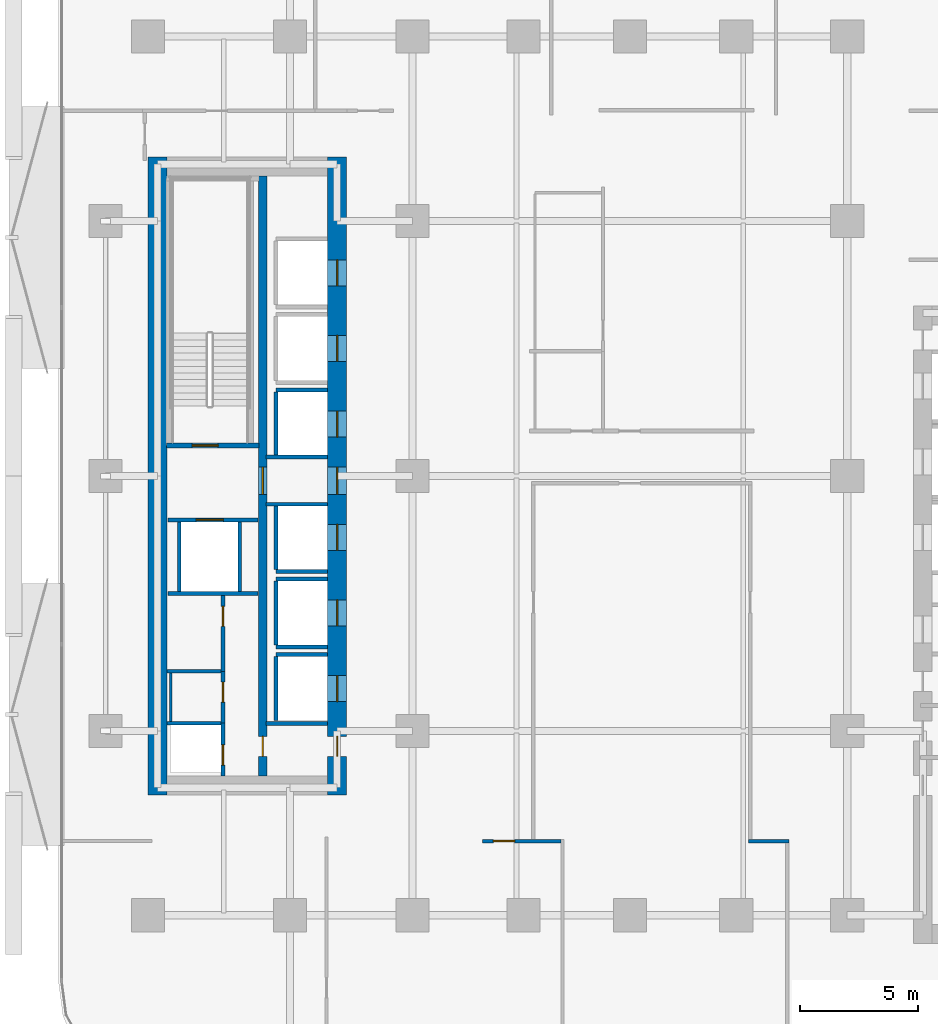
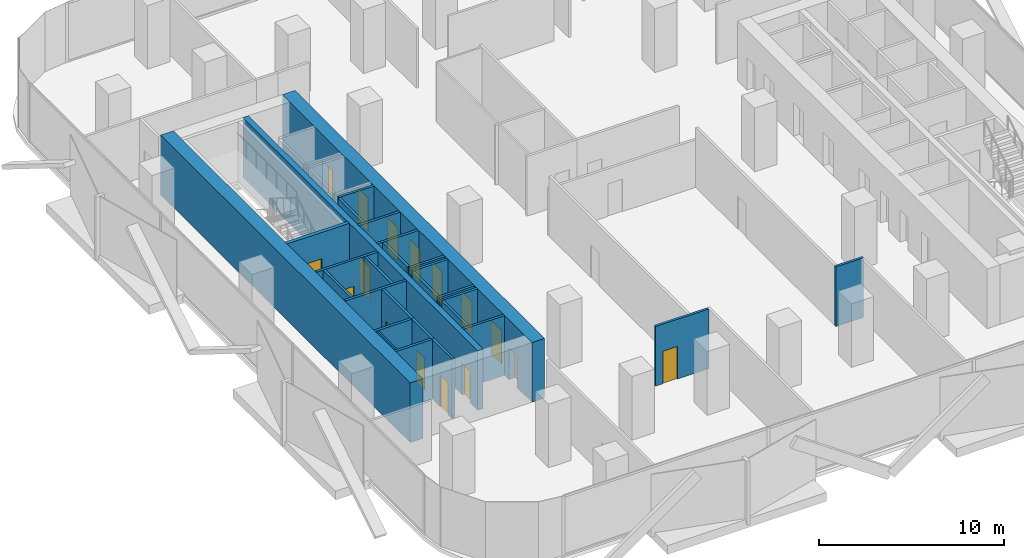
# One storey, part 3 of 15: 28 walls, 16 doors, 16 openings.
"""IFC4 building model written with IfcOpenShell, lengths in metres."""

from ifc_helpers import new_model, si_unit, direction, frame, frame_2d, origin, place, context, subcontext, project, spatial, rectangle, extrude, material, layer, layer_set, type_object, element, fill, save


model = new_model("IFC4")

# Units and contexts
model_context = context("Model", 3, precision=1e-05, world=origin(), true_north=direction((0.0, 1.0)))
body_context = subcontext(model_context, "Body", "Model", "MODEL_VIEW")
ifc_project = project(units=[si_unit("LENGTHUNIT", "METRE"), si_unit("AREAUNIT", "SQUARE_METRE"), si_unit("VOLUMEUNIT", "CUBIC_METRE"), si_unit("PLANEANGLEUNIT", "RADIAN"), si_unit("MASSUNIT", "GRAM", prefix="KILO")], contexts=[model_context])

# Site, building, storey
site_placement = place(None, origin())
site = spatial("IfcSite", under=ifc_project, at=site_placement, CompositionType="ELEMENT")
building_placement = place(site_placement, origin())
building = spatial("IfcBuilding", under=site, at=building_placement, Name="Khairoan Windgate Tower", CompositionType="ELEMENT")
storey_placement = place(building_placement, frame((0.0, 0.0, 76.39990234375)))
storey = spatial("IfcBuildingStorey", under=building, at=storey_placement, Name="L18", CompositionType="ELEMENT", Elevation=76.39990234375)

# Walls
ifc_material_1 = material(Name="Moisture-Resistant Gypsum Partition", Category="gypsum")
ifc_layer_1 = layer(ifc_material_1, 0.10009765625, Name="Moisture-Resistant Gypsum Partition")
ifc_layer_set_1 = layer_set([ifc_layer_1], Name="Moisture-Resistant Gypsum Partition")
wall_type_1 = type_object("IfcWallType", Name="Bathroom Wet-Area Partition Wall", PredefinedType="PARTITIONING", material=ifc_layer_set_1)
wall_1_placement = place(storey_placement, frame((-19.449951171875, -10.389892578125, 0.0), z_axis=(0.0, 0.0, 1.0), x_axis=(0.0, 1.0, 0.0)))
element("IfcWall", 1, at=wall_1_placement, inside=storey, type_object=wall_type_1, Name="L18 Wet Room Side Wall 043", PredefinedType="PARTITIONING", context=body_context, shape_type="SweptSolid", body=[
    extrude(rectangle(XDim=2.039794921875, YDim=0.10009765625, at=frame_2d((1.02001953125, 0.0))), origin(), (0.0, 0.0, 1.0), 3.940185546875),
])
ifc_material_2 = material(Name="Concrete C40/50", Category="concrete")
ifc_layer_2 = layer(ifc_material_2, 0.159912109375, Name="Concrete C40/50")
ifc_layer_set_2 = layer_set([ifc_layer_2], Name="Concrete C40/50")
wall_type_2 = type_object("IfcWallType", Name="Core and Hoistway Enclosure Wall", PredefinedType="STANDARD", material=ifc_layer_set_2)
wall_2_placement = place(storey_placement, frame((-14.989990234375, 3.639892578125, 0.0), z_axis=(0.0, 0.0, 1.0), x_axis=(1.0, 0.0, 0.0)))
element("IfcWall", 2, at=wall_2_placement, inside=storey, type_object=wall_type_2, Name="L18 Lift PL3 Hoistway Divider N", PredefinedType="STANDARD", context=body_context, shape_type="SweptSolid", body=[
    extrude(rectangle(XDim=2.18994140625, YDim=0.159912109375, at=frame_2d((1.094970703125, 0.0))), origin(), (0.0, 0.0, 1.0), 3.940185546875),
])
wall_3_placement = place(storey_placement, frame((-14.989990234375, 0.85009765625, 0.0), z_axis=(0.0, 0.0, 1.0), x_axis=(0.0, 1.0, 0.0)))
element("IfcWall", 3, at=wall_3_placement, inside=storey, type_object=wall_type_2, Name="L18 Lift PL3 Hoistway Back Wall", PredefinedType="STANDARD", context=body_context, shape_type="SweptSolid", body=[
    extrude(rectangle(XDim=2.699951171875, YDim=0.159912109375, at=frame_2d((1.35009765625, 0.0))), origin(), (0.0, 0.0, 1.0), 3.940185546875),
])
wall_4_placement = place(storey_placement, frame((-14.989990234375, -4.0400390625, 0.0), z_axis=(0.0, 0.0, 1.0), x_axis=(1.0, 0.0, 0.0)))
element("IfcWall", 4, at=wall_4_placement, inside=storey, type_object=wall_type_2, Name="L18 Lift PL4 Hoistway Divider S", PredefinedType="STANDARD", context=body_context, shape_type="SweptSolid", body=[
    extrude(rectangle(XDim=2.18994140625, YDim=0.159912109375, at=frame_2d((1.094970703125, 0.0))), origin(), (0.0, 0.0, 1.0), 3.940185546875),
])
wall_5_placement = place(storey_placement, frame((-14.989990234375, -3.949951171875, 0.0), z_axis=(0.0, 0.0, 1.0), x_axis=(0.0, 1.0, 0.0)))
element("IfcWall", 5, at=wall_5_placement, inside=storey, type_object=wall_type_2, Name="L18 Lift PL4 Hoistway Back Wall", PredefinedType="STANDARD", context=body_context, shape_type="SweptSolid", body=[
    extrude(rectangle(XDim=2.699951171875, YDim=0.159912109375, at=frame_2d((1.35009765625, 0.0))), origin(), (0.0, 0.0, 1.0), 3.940185546875),
])
for number, where, z_axis, x_axis, name in (
    (6, (-14.989990234375, -7.239990234375, 0.0), (0.0, 0.0, 1.0), (1.0, 0.0, 0.0), "L18 Lift PL5 Hoistway Divider S"),
    (7, (-14.989990234375, -4.360107421875, 0.0), (0.0, 0.0, 1.0), (1.0, 0.0, 0.0), "L18 Lift PL5 Hoistway Divider N"),
):
    element("IfcWall", number, at=place(storey_placement, frame(where, z_axis=z_axis, x_axis=x_axis)), inside=storey, type_object=wall_type_2, Name=name, PredefinedType="STANDARD", context=body_context, shape_type="SweptSolid", body=[
        extrude(rectangle(XDim=2.18994140625, YDim=0.159912109375, at=frame_2d((1.094970703125, 0.0))), origin(), (0.0, 0.0, 1.0), 3.940185546875),
    ])
wall_6_placement = place(storey_placement, frame((-14.989990234375, -7.14990234375, 0.0), z_axis=(0.0, 0.0, 1.0), x_axis=(0.0, 1.0, 0.0)))
element("IfcWall", 8, at=wall_6_placement, inside=storey, type_object=wall_type_2, Name="L18 Lift PL5 Hoistway Back Wall", PredefinedType="STANDARD", context=body_context, shape_type="SweptSolid", body=[
    extrude(rectangle(XDim=2.699951171875, YDim=0.159912109375, at=frame_2d((1.35009765625, 0.0))), origin(), (0.0, 0.0, 1.0), 3.940185546875),
])
wall_7_placement = place(storey_placement, frame((-14.989990234375, -7.56005859375, 0.0), z_axis=(0.0, 0.0, 1.0), x_axis=(1.0, 0.0, 0.0)))
element("IfcWall", 9, at=wall_7_placement, inside=storey, type_object=wall_type_2, Name="L18 Lift PL6 Hoistway Divider N", PredefinedType="STANDARD", context=body_context, shape_type="SweptSolid", body=[
    extrude(rectangle(XDim=2.18994140625, YDim=0.159912109375, at=frame_2d((1.094970703125, 0.0))), origin(), (0.0, 0.0, 1.0), 3.940185546875),
])
wall_8_placement = place(storey_placement, frame((-14.989990234375, -10.35009765625, 0.0), z_axis=(0.0, 0.0, 1.0), x_axis=(0.0, 1.0, 0.0)))
element("IfcWall", 10, at=wall_8_placement, inside=storey, type_object=wall_type_2, Name="L18 Lift PL6 Hoistway Back Wall", PredefinedType="STANDARD", context=body_context, shape_type="SweptSolid", body=[
    extrude(rectangle(XDim=2.7001953125, YDim=0.159912109375, at=frame_2d((1.35009765625, 0.0))), origin(), (0.0, 0.0, 1.0), 3.940185546875),
])

# Wall, opening, door
wall_9_placement = place(storey_placement, frame((-19.550048828125, -1.860107421875, 0.0), z_axis=(0.0, 0.0, 1.0), x_axis=(1.0, 0.0, 0.0)))
wall_9 = element("IfcWall", 11, at=wall_9_placement, inside=storey, type_object=wall_type_2, Name="L18 Core Shaft Wall SW-FL2-L18", PredefinedType="STANDARD", context=body_context, shape_type="SweptSolid", body=[
    extrude(rectangle(XDim=3.800048828125, YDim=0.159912109375, at=frame_2d((1.89990234375, 0.0))), origin(), (0.0, 0.0, 1.0), 3.940185546875),
])
opening_1_placement = place(wall_9_placement, frame((1.179931640625, 0.0, 0.0)))
opening_1 = element("IfcOpeningElement", 12, at=opening_1_placement, cuts=wall_9, Name="Opening LD-FL", PredefinedType="OPENING", context=body_context, shape_type="SweptSolid", body=[
    extrude(rectangle(XDim=1.14990234375, YDim=2.199951171875, at=frame_2d((0.574951171875, 1.10009765625))), frame((0.0, 0.08984375, 0.0), z_axis=(0.0, -1.0, 0.0), x_axis=(1.0, 0.0, 0.0)), (0.0, 0.0, 1.0), 0.179931640625),
])
ifc_material_3 = material(Name="Steel S355", Category="steel")
door_type_1 = type_object("IfcDoorType", Name="Firefighting Lift Sliding Landing Door LD-FL 1150x2200", OperationType="DOUBLE_DOOR_SLIDING", PredefinedType="DOOR", material=ifc_material_3)
door_1_placement = place(opening_1_placement, origin())
door_1 = element("IfcDoor", 13, at=door_1_placement, inside=storey, type_object=door_type_1, Name="L18 Firefighting Lift FL2 Landing Door", OperationType="DOUBLE_DOOR_SLIDING", OverallHeight=2.199951171875, OverallWidth=1.14990234375, PredefinedType="DOOR", context=body_context, shape_type="SweptSolid", body=[
    extrude(rectangle(XDim=1.14990234375, YDim=2.199951171875, at=frame_2d((0.574951171875, 1.10009765625))), frame((0.0, 0.02490234375, 0.0), z_axis=(0.0, -1.0, 0.0), x_axis=(1.0, 0.0, 0.0)), (0.0, 0.0, 1.0), 0.050048828125),
])
fill(opening_1, door_1)

# Walls
wall_10_placement = place(storey_placement, frame((-19.550048828125, -4.97998046875, 0.0), z_axis=(0.0, 0.0, 1.0), x_axis=(1.0, 0.0, 0.0)))
element("IfcWall", 14, at=wall_10_placement, inside=storey, type_object=wall_type_2, Name="L18 Core Shaft Wall SW-FL2B-L18", PredefinedType="STANDARD", context=body_context, shape_type="SweptSolid", body=[
    extrude(rectangle(XDim=3.800048828125, YDim=0.159912109375, at=frame_2d((1.89990234375, 0.0))), origin(), (0.0, 0.0, 1.0), 3.940185546875),
])
for number, where, z_axis, x_axis, name in (
    (15, (-19.080078125, -4.89990234375, 0.0), (0.0, 0.0, 1.0), (0.0, 1.0, 0.0), "L18 Core Shaft Wall SW-FL2W-L18"),
    (16, (-16.52001953125, -4.89990234375, 0.0), (0.0, 0.0, 1.0), (0.0, 1.0, 0.0), "L18 Core Shaft Wall SW-FL2E-L18"),
):
    element("IfcWall", number, at=place(storey_placement, frame(where, z_axis=z_axis, x_axis=x_axis)), inside=storey, type_object=wall_type_2, Name=name, PredefinedType="STANDARD", context=body_context, shape_type="SweptSolid", body=[
        extrude(rectangle(XDim=2.9599609375, YDim=0.159912109375, at=frame_2d((1.47998046875, 0.0))), origin(), (0.0, 0.0, 1.0), 3.940185546875),
    ])
for number, where, z_axis, x_axis, name in (
    (17, (-15.39990234375, 0.800048828125, 0.0), (0.0, 0.0, 1.0), (1.0, 0.0, 0.0), "L18 Core Shaft Wall SW-WV1-L18"),
    (18, (-15.39990234375, -1.199951171875, 0.0), (0.0, 0.0, 1.0), (1.0, 0.0, 0.0), "L18 Core Shaft Wall SW-WV2-L18"),
    (19, (-15.39990234375, -10.47998046875, 0.0), (0.0, 0.0, 1.0), (1.0, 0.0, 0.0), "L18 Core Shaft Wall SW-WSV-L18"),
):
    element("IfcWall", number, at=place(storey_placement, frame(where, z_axis=z_axis, x_axis=x_axis)), inside=storey, type_object=wall_type_2, Name=name, PredefinedType="STANDARD", context=body_context, shape_type="SweptSolid", body=[
        extrude(rectangle(XDim=2.599853515625, YDim=0.159912109375, at=frame_2d((1.2998046875, 0.0))), origin(), (0.0, 0.0, 1.0), 3.940185546875),
    ])

# Wall, opening, door
ifc_material_4 = material(Name="Concrete C40/50", Category="concrete")
ifc_layer_3 = layer(ifc_material_4, 0.159912109375, Name="Concrete C40/50")
ifc_layer_set_3 = layer_set([ifc_layer_3], Name="Concrete C40/50")
wall_type_3 = type_object("IfcWallType", Name="Plant and Refuge Compartment Wall", PredefinedType="PARTITIONING", material=ifc_layer_set_3)
wall_11_placement = place(storey_placement, frame((-17.22998046875, -12.699951171875, 0.0), z_axis=(0.0, 0.0, 1.0), x_axis=(0.0, 1.0, 0.0)))
wall_11 = element("IfcWall", 20, at=wall_11_placement, inside=storey, type_object=wall_type_3, Name="L18 Interior Partition 001", PredefinedType="PARTITIONING", context=body_context, shape_type="SweptSolid", body=[
    extrude(rectangle(XDim=2.22998046875, YDim=0.159912109375, at=frame_2d((1.114990234375, 0.0))), origin(), (0.0, 0.0, 1.0), 3.940185546875),
])
opening_2_placement = place(wall_11_placement, frame((0.4599609375, 0.0, 0.0)))
opening_2 = element("IfcOpeningElement", 21, at=opening_2_placement, cuts=wall_11, Name="Opening FD-SRV", PredefinedType="OPENING", context=body_context, shape_type="SweptSolid", body=[
    extrude(rectangle(XDim=0.85009765625, YDim=2.10009765625, at=frame_2d((0.425048828125, 1.050048828125))), frame((0.0, 0.08984375, 0.0), z_axis=(0.0, -1.0, 0.0), x_axis=(1.0, 0.0, 0.0)), (0.0, 0.0, 1.0), 0.179931640625),
])
ifc_material_5 = material(Name="Steel S355", Category="steel")
door_type_2 = type_object("IfcDoorType", Name="Core Service and Riser Fire Door FD-SRV 850x2100", OperationType="NOTDEFINED", PredefinedType="DOOR", material=ifc_material_5)
door_2_placement = place(opening_2_placement, origin())
door_2 = element("IfcDoor", 22, at=door_2_placement, inside=storey, type_object=door_type_2, Name="L18 L18-04-L18-05 Door", OperationType="SINGLE_SWING_RIGHT", OverallHeight=2.10009765625, OverallWidth=0.85009765625, PredefinedType="DOOR", context=body_context, shape_type="SweptSolid", body=[
    extrude(rectangle(XDim=0.85009765625, YDim=2.10009765625, at=frame_2d((0.425048828125, 1.050048828125))), frame((0.0, 0.02490234375, 0.0), z_axis=(0.0, -1.0, 0.0), x_axis=(1.0, 0.0, 0.0)), (0.0, 0.0, 1.0), 0.050048828125),
])
fill(opening_2, door_2)

wall_12_placement = place(storey_placement, frame((-17.22998046875, -10.469970703125, 0.0), z_axis=(0.0, 0.0, 1.0), x_axis=(0.0, 1.0, 0.0)))
wall_12 = element("IfcWall", 23, at=wall_12_placement, inside=storey, type_object=wall_type_3, Name="L18 Interior Partition 002", PredefinedType="PARTITIONING", context=body_context, shape_type="SweptSolid", body=[
    extrude(rectangle(XDim=2.199951171875, YDim=0.159912109375, at=frame_2d((1.10009765625, 0.0))), origin(), (0.0, 0.0, 1.0), 3.940185546875),
])
opening_3_placement = place(wall_12_placement, frame((0.889892578125, 0.0, 0.0)))
opening_3 = element("IfcOpeningElement", 24, at=opening_3_placement, cuts=wall_12, Name="Opening FD-SRV", PredefinedType="OPENING", context=body_context, shape_type="SweptSolid", body=[
    extrude(rectangle(XDim=0.85009765625, YDim=2.10009765625, at=frame_2d((0.425048828125, 1.050048828125))), frame((0.0, 0.08984375, 0.0), z_axis=(0.0, -1.0, 0.0), x_axis=(1.0, 0.0, 0.0)), (0.0, 0.0, 1.0), 0.179931640625),
])
door_3_placement = place(opening_3_placement, origin())
door_3 = element("IfcDoor", 25, at=door_3_placement, inside=storey, type_object=door_type_2, Name="L18 L18-04-L18-06 Door", OperationType="SINGLE_SWING_LEFT", OverallHeight=2.10009765625, OverallWidth=0.85009765625, PredefinedType="DOOR", context=body_context, shape_type="SweptSolid", body=[
    extrude(rectangle(XDim=0.85009765625, YDim=2.10009765625, at=frame_2d((0.425048828125, 1.050048828125))), frame((0.0, 0.02490234375, 0.0), z_axis=(0.0, -1.0, 0.0), x_axis=(1.0, 0.0, 0.0)), (0.0, 0.0, 1.0), 0.050048828125),
])
fill(opening_3, door_3)

wall_13_placement = place(storey_placement, frame((-17.22998046875, -8.27001953125, 0.0), z_axis=(0.0, 0.0, 1.0), x_axis=(0.0, 1.0, 0.0)))
wall_13 = element("IfcWall", 26, at=wall_13_placement, inside=storey, type_object=wall_type_3, Name="L18 Interior Partition 003", PredefinedType="PARTITIONING", context=body_context, shape_type="SweptSolid", body=[
    extrude(rectangle(XDim=3.2099609375, YDim=0.159912109375, at=frame_2d((1.60498046875, 0.0))), origin(), (0.0, 0.0, 1.0), 3.940185546875),
])
opening_4_placement = place(wall_13_placement, frame((1.89990234375, 0.0, 0.0)))
opening_4 = element("IfcOpeningElement", 27, at=opening_4_placement, cuts=wall_13, Name="Opening FD-SRV", PredefinedType="OPENING", context=body_context, shape_type="SweptSolid", body=[
    extrude(rectangle(XDim=0.85009765625, YDim=2.10009765625, at=frame_2d((0.425048828125, 1.050048828125))), frame((0.0, 0.08984375, 0.0), z_axis=(0.0, -1.0, 0.0), x_axis=(1.0, 0.0, 0.0)), (0.0, 0.0, 1.0), 0.179931640625),
])
door_4_placement = place(opening_4_placement, origin())
door_4 = element("IfcDoor", 28, at=door_4_placement, inside=storey, type_object=door_type_2, Name="L18 L18-04-L18-07 Door", OperationType="SINGLE_SWING_RIGHT", OverallHeight=2.10009765625, OverallWidth=0.85009765625, PredefinedType="DOOR", context=body_context, shape_type="SweptSolid", body=[
    extrude(rectangle(XDim=0.85009765625, YDim=2.10009765625, at=frame_2d((0.425048828125, 1.050048828125))), frame((0.0, 0.02490234375, 0.0), z_axis=(0.0, -1.0, 0.0), x_axis=(1.0, 0.0, 0.0)), (0.0, 0.0, 1.0), 0.050048828125),
])
fill(opening_4, door_4)

# Walls
for number, where, z_axis, x_axis, name in (
    (29, (-19.60009765625, -10.469970703125, 0.0), (0.0, 0.0, 1.0), (1.0, 0.0, 0.0), "L18 Interior Partition 004"),
    (30, (-19.60009765625, -8.27001953125, 0.0), (0.0, 0.0, 1.0), (1.0, 0.0, 0.0), "L18 Interior Partition 005"),
):
    element("IfcWall", number, at=place(storey_placement, frame(where, z_axis=z_axis, x_axis=x_axis)), inside=storey, type_object=wall_type_3, Name=name, PredefinedType="PARTITIONING", context=body_context, shape_type="SweptSolid", body=[
        extrude(rectangle(XDim=2.2900390625, YDim=0.159912109375, at=frame_2d((1.14501953125, 0.0))), origin(), (0.0, 0.0, 1.0), 3.940185546875),
    ])

# Wall, opening, door
ifc_material_6 = material(Name="Acoustic Fire-Rated Gypsum Partition", Category="gypsum")
ifc_layer_4 = layer(ifc_material_6, 0.14990234375, Name="Acoustic Fire-Rated Gypsum Partition")
ifc_layer_set_4 = layer_set([ifc_layer_4], Name="Acoustic Fire-Rated Gypsum Partition")
wall_type_4 = type_object("IfcWallType", Name="Rated Corridor Partition Wall", PredefinedType="PARTITIONING", material=ifc_layer_set_4)
wall_14_placement = place(storey_placement, frame((-6.239990234375, -15.4599609375, 0.0), z_axis=(0.0, 0.0, 1.0), x_axis=(1.0, 0.0, 0.0)))
wall_14 = element("IfcWall", 31, at=wall_14_placement, inside=storey, type_object=wall_type_4, Name="L18 Interior Partition 017", PredefinedType="PARTITIONING", context=body_context, shape_type="SweptSolid", body=[
    extrude(rectangle(XDim=3.31396484375, YDim=0.14990234375, at=frame_2d((1.656982421875, 0.0))), origin(), (0.0, 0.0, 1.0), 3.940185546875),
])
opening_5_placement = place(wall_14_placement, frame((0.4599609375, 0.0, 0.0)))
opening_5 = element("IfcOpeningElement", 32, at=opening_5_placement, cuts=wall_14, Name="Opening FD-ENT", PredefinedType="OPENING", context=body_context, shape_type="SweptSolid", body=[
    extrude(rectangle(XDim=0.89990234375, YDim=2.14990234375, at=frame_2d((0.449951171875, 1.074951171875))), frame((0.0, 0.0849609375, 0.0), z_axis=(0.0, -1.0, 0.0), x_axis=(1.0, 0.0, 0.0)), (0.0, 0.0, 1.0), 0.169921875),
])
ifc_material_7 = material(Name="Timber Fire-Rated Core", Category="wood")
door_type_3 = type_object("IfcDoorType", Name="Unit and Office Fire Entrance Door FD-ENT 900x2150", OperationType="NOTDEFINED", PredefinedType="DOOR", material=ifc_material_7)
door_5_placement = place(opening_5_placement, origin())
door_5 = element("IfcDoor", 33, at=door_5_placement, inside=storey, type_object=door_type_3, Name="L18 L18-34-L18-47 Door", OperationType="SINGLE_SWING_RIGHT", OverallHeight=2.14990234375, OverallWidth=0.89990234375, PredefinedType="DOOR", context=body_context, shape_type="SweptSolid", body=[
    extrude(rectangle(XDim=0.89990234375, YDim=2.14990234375, at=frame_2d((0.449951171875, 1.074951171875))), frame((0.0, 0.02490234375, 0.0), z_axis=(0.0, -1.0, 0.0), x_axis=(1.0, 0.0, 0.0)), (0.0, 0.0, 1.0), 0.050048828125),
])
fill(opening_5, door_5)

# Walls
wall_15_placement = place(storey_placement, frame((5.010009765625, -15.4599609375, 0.0), z_axis=(0.0, 0.0, 1.0), x_axis=(1.0, 0.0, 0.0)))
element("IfcWall", 34, at=wall_15_placement, inside=storey, type_object=wall_type_4, Name="L18 Interior Partition 019", PredefinedType="PARTITIONING", context=body_context, shape_type="SweptSolid", body=[
    extrude(rectangle(XDim=1.723876953125, YDim=0.14990234375, at=frame_2d((0.86181640625, 0.0))), origin(), (0.0, 0.0, 1.0), 3.940185546875),
])
ifc_material_8 = material(Name="Concrete C70/85", Category="concrete")
ifc_layer_5 = layer(ifc_material_8, 0.800048828125, Name="Concrete C70/85")
ifc_layer_set_5 = layer_set([ifc_layer_5], Name="Concrete C70/85")
wall_type_5 = type_object("IfcWallType", Name="Shear Wall CW-W1 800mm", PredefinedType="SHEAR", material=ifc_layer_set_5)
wall_16_placement = place(storey_placement, frame((-20.0, -13.5, 0.0), z_axis=(0.0, 0.0, 1.0), x_axis=(0.0, 1.0, 0.0)))
element("IfcWall", 35, at=wall_16_placement, inside=storey, type_object=wall_type_5, Name="W Core West Shear Wall L18", PredefinedType="SHEAR", context=body_context, shape_type="SweptSolid", body=[
    extrude(rectangle(XDim=27.0, YDim=0.800048828125, at=frame_2d((13.5, 0.0))), origin(), (0.0, 0.0, 1.0), 3.940185546875),
])

# Wall, openings, doors
wall_17_placement = place(storey_placement, frame((-12.39990234375, -13.5, 0.0), z_axis=(0.0, 0.0, 1.0), x_axis=(0.0, 1.0, 0.0)))
wall_17 = element("IfcWall", 36, at=wall_17_placement, inside=storey, type_object=wall_type_5, Name="W Core East Shear Wall L18", PredefinedType="SHEAR", context=body_context, shape_type="SweptSolid", body=[
    extrude(rectangle(XDim=27.0, YDim=0.800048828125, at=frame_2d((13.5, 0.0))), origin(), (0.0, 0.0, 1.0), 3.940185546875),
])
opening_6_placement = place(wall_17_placement, frame((21.550048828125, 0.0, 0.0)))
opening_6 = element("IfcOpeningElement", 37, at=opening_6_placement, cuts=wall_17, Name="Opening LD-PL", PredefinedType="OPENING", context=body_context, shape_type="SweptSolid", body=[
    extrude(rectangle(XDim=1.10009765625, YDim=2.199951171875, at=frame_2d((0.550048828125, 1.10009765625))), frame((0.0, 0.409912109375, 0.0), z_axis=(0.0, -1.0, 0.0), x_axis=(1.0, 0.0, 0.0)), (0.0, 0.0, 1.0), 0.820068359375),
])
opening_7_placement = place(wall_17_placement, frame((18.35009765625, 0.0, 0.0)))
opening_7 = element("IfcOpeningElement", 38, at=opening_7_placement, cuts=wall_17, Name="Opening LD-PL", PredefinedType="OPENING", context=body_context, shape_type="SweptSolid", body=[
    extrude(rectangle(XDim=1.10009765625, YDim=2.199951171875, at=frame_2d((0.550048828125, 1.10009765625))), frame((0.0, 0.409912109375, 0.0), z_axis=(0.0, -1.0, 0.0), x_axis=(1.0, 0.0, 0.0)), (0.0, 0.0, 1.0), 0.820068359375),
])
opening_8_placement = place(wall_17_placement, frame((15.14990234375, 0.0, 0.0)))
opening_8 = element("IfcOpeningElement", 39, at=opening_8_placement, cuts=wall_17, Name="Opening LD-PL", PredefinedType="OPENING", context=body_context, shape_type="SweptSolid", body=[
    extrude(rectangle(XDim=1.10009765625, YDim=2.199951171875, at=frame_2d((0.550048828125, 1.10009765625))), frame((0.0, 0.409912109375, 0.0), z_axis=(0.0, -1.0, 0.0), x_axis=(1.0, 0.0, 0.0)), (0.0, 0.0, 1.0), 0.820068359375),
])
opening_9_placement = place(wall_17_placement, frame((10.35009765625, 0.0, 0.0)))
opening_9 = element("IfcOpeningElement", 40, at=opening_9_placement, cuts=wall_17, Name="Opening LD-PL", PredefinedType="OPENING", context=body_context, shape_type="SweptSolid", body=[
    extrude(rectangle(XDim=1.10009765625, YDim=2.199951171875, at=frame_2d((0.550048828125, 1.10009765625))), frame((0.0, 0.409912109375, 0.0), z_axis=(0.0, -1.0, 0.0), x_axis=(1.0, 0.0, 0.0)), (0.0, 0.0, 1.0), 0.820068359375),
])
opening_10_placement = place(wall_17_placement, frame((7.14990234375, 0.0, 0.0)))
opening_10 = element("IfcOpeningElement", 41, at=opening_10_placement, cuts=wall_17, Name="Opening LD-PL", PredefinedType="OPENING", context=body_context, shape_type="SweptSolid", body=[
    extrude(rectangle(XDim=1.10009765625, YDim=2.199951171875, at=frame_2d((0.550048828125, 1.10009765625))), frame((0.0, 0.409912109375, 0.0), z_axis=(0.0, -1.0, 0.0), x_axis=(1.0, 0.0, 0.0)), (0.0, 0.0, 1.0), 0.820068359375),
])
opening_11_placement = place(wall_17_placement, frame((3.949951171875, 0.0, 0.0)))
opening_11 = element("IfcOpeningElement", 42, at=opening_11_placement, cuts=wall_17, Name="Opening LD-PL", PredefinedType="OPENING", context=body_context, shape_type="SweptSolid", body=[
    extrude(rectangle(XDim=1.10009765625, YDim=2.199951171875, at=frame_2d((0.550048828125, 1.10009765625))), frame((0.0, 0.409912109375, 0.0), z_axis=(0.0, -1.0, 0.0), x_axis=(1.0, 0.0, 0.0)), (0.0, 0.0, 1.0), 0.820068359375),
])
opening_12_placement = place(wall_17_placement, frame((12.72509765625, 0.0, 0.0)))
opening_12 = element("IfcOpeningElement", 43, at=opening_12_placement, cuts=wall_17, Name="Opening FD-FFL", PredefinedType="OPENING", context=body_context, shape_type="SweptSolid", body=[
    extrude(rectangle(XDim=1.14990234375, YDim=2.199951171875, at=frame_2d((0.574951171875, 1.10009765625))), frame((0.0, 0.409912109375, 0.0), z_axis=(0.0, -1.0, 0.0), x_axis=(1.0, 0.0, 0.0)), (0.0, 0.0, 1.0), 0.820068359375),
])
opening_13_placement = place(wall_17_placement, frame((1.625, 0.0, 0.0)))
opening_13 = element("IfcOpeningElement", 44, at=opening_13_placement, cuts=wall_17, Name="Opening FD-SRV", PredefinedType="OPENING", context=body_context, shape_type="SweptSolid", body=[
    extrude(rectangle(XDim=0.85009765625, YDim=2.10009765625, at=frame_2d((0.425048828125, 1.050048828125))), frame((0.0, 0.409912109375, 0.0), z_axis=(0.0, -1.0, 0.0), x_axis=(1.0, 0.0, 0.0)), (0.0, 0.0, 1.0), 0.820068359375),
])
door_6_placement = place(opening_13_placement, origin())
door_6 = element("IfcDoor", 45, at=door_6_placement, inside=storey, type_object=door_type_2, Name="L18 West Core Service Vestibule Outer Door", OperationType="SINGLE_SWING_RIGHT", OverallHeight=2.10009765625, OverallWidth=0.85009765625, PredefinedType="DOOR", context=body_context, shape_type="SweptSolid", body=[
    extrude(rectangle(XDim=0.85009765625, YDim=2.10009765625, at=frame_2d((0.425048828125, 1.050048828125))), frame((0.0, 0.02490234375, 0.0), z_axis=(0.0, -1.0, 0.0), x_axis=(1.0, 0.0, 0.0)), (0.0, 0.0, 1.0), 0.050048828125),
])
fill(opening_13, door_6)
ifc_material_9 = material(Name="Steel S355", Category="steel")
door_type_4 = type_object("IfcDoorType", Name="Firefighting Lobby Fire Door FD-FFL 1150x2200", OperationType="NOTDEFINED", PredefinedType="DOOR", material=ifc_material_9)
door_7_placement = place(opening_12_placement, origin())
door_7 = element("IfcDoor", 46, at=door_7_placement, inside=storey, type_object=door_type_4, Name="L18 West Core Vestibule Entry Door", OperationType="SINGLE_SWING_RIGHT", OverallHeight=2.199951171875, OverallWidth=1.14990234375, PredefinedType="DOOR", context=body_context, shape_type="SweptSolid", body=[
    extrude(rectangle(XDim=1.14990234375, YDim=2.199951171875, at=frame_2d((0.574951171875, 1.10009765625))), frame((0.0, 0.02490234375, 0.0), z_axis=(0.0, -1.0, 0.0), x_axis=(1.0, 0.0, 0.0)), (0.0, 0.0, 1.0), 0.050048828125),
])
fill(opening_12, door_7)
ifc_material_10 = material(Name="Anodised Bronze Aluminium 6063-T6", Category="aluminium")
door_type_5 = type_object("IfcDoorType", Name="Passenger Lift Sliding Landing Door LD-PL 1100x2200", OperationType="DOUBLE_DOOR_SLIDING", PredefinedType="DOOR", material=ifc_material_10)
door_8_placement = place(opening_6_placement, origin())
door_8 = element("IfcDoor", 47, at=door_8_placement, inside=storey, type_object=door_type_5, Name="L18 Lift PL1 Sliding Landing Door", OperationType="DOUBLE_DOOR_SLIDING", OverallHeight=2.199951171875, OverallWidth=1.10009765625, PredefinedType="DOOR", context=body_context, shape_type="SweptSolid", body=[
    extrude(rectangle(XDim=1.10009765625, YDim=2.199951171875, at=frame_2d((0.550048828125, 1.10009765625))), frame((0.0, 0.02490234375, 0.0), z_axis=(0.0, -1.0, 0.0), x_axis=(1.0, 0.0, 0.0)), (0.0, 0.0, 1.0), 0.050048828125),
])
fill(opening_6, door_8)
door_9_placement = place(opening_7_placement, origin())
door_9 = element("IfcDoor", 48, at=door_9_placement, inside=storey, type_object=door_type_5, Name="L18 Lift PL2 Sliding Landing Door", OperationType="DOUBLE_DOOR_SLIDING", OverallHeight=2.199951171875, OverallWidth=1.10009765625, PredefinedType="DOOR", context=body_context, shape_type="SweptSolid", body=[
    extrude(rectangle(XDim=1.10009765625, YDim=2.199951171875, at=frame_2d((0.550048828125, 1.10009765625))), frame((0.0, 0.02490234375, 0.0), z_axis=(0.0, -1.0, 0.0), x_axis=(1.0, 0.0, 0.0)), (0.0, 0.0, 1.0), 0.050048828125),
])
fill(opening_7, door_9)
door_10_placement = place(opening_8_placement, origin())
door_10 = element("IfcDoor", 49, at=door_10_placement, inside=storey, type_object=door_type_5, Name="L18 Lift PL3 Sliding Landing Door", OperationType="DOUBLE_DOOR_SLIDING", OverallHeight=2.199951171875, OverallWidth=1.10009765625, PredefinedType="DOOR", context=body_context, shape_type="SweptSolid", body=[
    extrude(rectangle(XDim=1.10009765625, YDim=2.199951171875, at=frame_2d((0.550048828125, 1.10009765625))), frame((0.0, 0.02490234375, 0.0), z_axis=(0.0, -1.0, 0.0), x_axis=(1.0, 0.0, 0.0)), (0.0, 0.0, 1.0), 0.050048828125),
])
fill(opening_8, door_10)
door_11_placement = place(opening_9_placement, origin())
door_11 = element("IfcDoor", 50, at=door_11_placement, inside=storey, type_object=door_type_5, Name="L18 Lift PL4 Sliding Landing Door", OperationType="DOUBLE_DOOR_SLIDING", OverallHeight=2.199951171875, OverallWidth=1.10009765625, PredefinedType="DOOR", context=body_context, shape_type="SweptSolid", body=[
    extrude(rectangle(XDim=1.10009765625, YDim=2.199951171875, at=frame_2d((0.550048828125, 1.10009765625))), frame((0.0, 0.02490234375, 0.0), z_axis=(0.0, -1.0, 0.0), x_axis=(1.0, 0.0, 0.0)), (0.0, 0.0, 1.0), 0.050048828125),
])
fill(opening_9, door_11)
door_12_placement = place(opening_10_placement, origin())
door_12 = element("IfcDoor", 51, at=door_12_placement, inside=storey, type_object=door_type_5, Name="L18 Lift PL5 Sliding Landing Door", OperationType="DOUBLE_DOOR_SLIDING", OverallHeight=2.199951171875, OverallWidth=1.10009765625, PredefinedType="DOOR", context=body_context, shape_type="SweptSolid", body=[
    extrude(rectangle(XDim=1.10009765625, YDim=2.199951171875, at=frame_2d((0.550048828125, 1.10009765625))), frame((0.0, 0.02490234375, 0.0), z_axis=(0.0, -1.0, 0.0), x_axis=(1.0, 0.0, 0.0)), (0.0, 0.0, 1.0), 0.050048828125),
])
fill(opening_10, door_12)
door_13_placement = place(opening_11_placement, origin())
door_13 = element("IfcDoor", 52, at=door_13_placement, inside=storey, type_object=door_type_5, Name="L18 Lift PL6 Sliding Landing Door", OperationType="DOUBLE_DOOR_SLIDING", OverallHeight=2.199951171875, OverallWidth=1.10009765625, PredefinedType="DOOR", context=body_context, shape_type="SweptSolid", body=[
    extrude(rectangle(XDim=1.10009765625, YDim=2.199951171875, at=frame_2d((0.550048828125, 1.10009765625))), frame((0.0, 0.02490234375, 0.0), z_axis=(0.0, -1.0, 0.0), x_axis=(1.0, 0.0, 0.0)), (0.0, 0.0, 1.0), 0.050048828125),
])
fill(opening_11, door_13)

ifc_material_11 = material(Name="Concrete C60/75", Category="concrete")
ifc_layer_6 = layer(ifc_material_11, 0.35009765625, Name="Concrete C60/75")
ifc_layer_set_6 = layer_set([ifc_layer_6], Name="Concrete C60/75")
wall_type_6 = type_object("IfcWallType", Name="Shear Wall SW-1 350mm", PredefinedType="SHEAR", material=ifc_layer_set_6)
wall_18_placement = place(storey_placement, frame((-15.550048828125, -12.699951171875, 0.0), z_axis=(0.0, 0.0, 1.0), x_axis=(0.0, 1.0, 0.0)))
wall_18 = element("IfcWall", 53, at=wall_18_placement, inside=storey, type_object=wall_type_6, Name="W Core Spine Shear Wall L18", PredefinedType="SHEAR", context=body_context, shape_type="SweptSolid", body=[
    extrude(rectangle(XDim=25.39990234375, YDim=0.35009765625, at=frame_2d((12.699951171875, 0.0))), origin(), (0.0, 0.0, 1.0), 3.940185546875),
])
opening_14_placement = place(wall_18_placement, frame((11.925048828125, 0.0, 0.0)))
opening_14 = element("IfcOpeningElement", 54, at=opening_14_placement, cuts=wall_18, Name="Opening FD-FFL", PredefinedType="OPENING", context=body_context, shape_type="SweptSolid", body=[
    extrude(rectangle(XDim=1.14990234375, YDim=2.199951171875, at=frame_2d((0.574951171875, 1.10009765625))), frame((0.0, 0.18505859375, 0.0), z_axis=(0.0, -1.0, 0.0), x_axis=(1.0, 0.0, 0.0)), (0.0, 0.0, 1.0), 0.3701171875),
])
opening_15_placement = place(wall_18_placement, frame((0.824951171875, 0.0, 0.0)))
opening_15 = element("IfcOpeningElement", 55, at=opening_15_placement, cuts=wall_18, Name="Opening FD-SRV", PredefinedType="OPENING", context=body_context, shape_type="SweptSolid", body=[
    extrude(rectangle(XDim=0.85009765625, YDim=2.10009765625, at=frame_2d((0.425048828125, 1.050048828125))), frame((0.0, 0.18505859375, 0.0), z_axis=(0.0, -1.0, 0.0), x_axis=(1.0, 0.0, 0.0)), (0.0, 0.0, 1.0), 0.3701171875),
])
door_14_placement = place(opening_15_placement, origin())
door_14 = element("IfcDoor", 56, at=door_14_placement, inside=storey, type_object=door_type_2, Name="L18 West Core Service Passage Inner Door", OperationType="SINGLE_SWING_LEFT", OverallHeight=2.10009765625, OverallWidth=0.85009765625, PredefinedType="DOOR", context=body_context, shape_type="SweptSolid", body=[
    extrude(rectangle(XDim=0.85009765625, YDim=2.10009765625, at=frame_2d((0.425048828125, 1.050048828125))), frame((0.0, 0.02490234375, 0.0), z_axis=(0.0, -1.0, 0.0), x_axis=(1.0, 0.0, 0.0)), (0.0, 0.0, 1.0), 0.050048828125),
])
fill(opening_15, door_14)
door_15_placement = place(opening_14_placement, origin())
door_15 = element("IfcDoor", 57, at=door_15_placement, inside=storey, type_object=door_type_4, Name="L18 West Firefighting Lobby Fire Door", OperationType="SINGLE_SWING_LEFT", OverallHeight=2.199951171875, OverallWidth=1.14990234375, PredefinedType="DOOR", context=body_context, shape_type="SweptSolid", body=[
    extrude(rectangle(XDim=1.14990234375, YDim=2.199951171875, at=frame_2d((0.574951171875, 1.10009765625))), frame((0.0, 0.02490234375, 0.0), z_axis=(0.0, -1.0, 0.0), x_axis=(1.0, 0.0, 0.0)), (0.0, 0.0, 1.0), 0.050048828125),
])
fill(opening_14, door_15)

# Wall, opening, door
ifc_material_12 = material(Name="Concrete C50/60", Category="concrete")
ifc_layer_7 = layer(ifc_material_12, 0.219970703125, Name="Concrete C50/60")
ifc_layer_set_7 = layer_set([ifc_layer_7], Name="Concrete C50/60")
wall_type_7 = type_object("IfcWallType", Name="Shear Wall SW-ST 220mm", PredefinedType="SHEAR", material=ifc_layer_set_7)
wall_19_placement = place(storey_placement, frame((-19.6201171875, 1.2900390625, 0.0), z_axis=(0.0, 0.0, 1.0), x_axis=(1.0, 0.0, 0.0)))
wall_19 = element("IfcWall", 58, at=wall_19_placement, inside=storey, type_object=wall_type_7, Name="L18 Stair ST2 South Bearing Wall", PredefinedType="SHEAR", context=body_context, shape_type="SweptSolid", body=[
    extrude(rectangle(XDim=3.9150390625, YDim=0.219970703125, at=frame_2d((1.95751953125, 0.0))), origin(), (0.0, 0.0, 1.0), 3.940185546875),
])
opening_16_placement = place(wall_19_placement, frame((1.080078125, 0.0, 0.0)))
opening_16 = element("IfcOpeningElement", 59, at=opening_16_placement, cuts=wall_19, Name="Opening FD-ST", PredefinedType="OPENING", context=body_context, shape_type="SweptSolid", body=[
    extrude(rectangle(XDim=1.10009765625, YDim=2.199951171875, at=frame_2d((0.550048828125, 1.10009765625))), frame((0.0, 0.119873046875, 0.0), z_axis=(0.0, -1.0, 0.0), x_axis=(1.0, 0.0, 0.0)), (0.0, 0.0, 1.0), 0.239990234375),
])
ifc_material_13 = material(Name="Steel S355", Category="steel")
door_type_6 = type_object("IfcDoorType", Name="Smokeproof Stair Fire Door FD-ST 1100x2200", OperationType="NOTDEFINED", PredefinedType="DOOR", material=ifc_material_13)
door_16_placement = place(opening_16_placement, origin())
door_16 = element("IfcDoor", 60, at=door_16_placement, inside=storey, type_object=door_type_6, Name="L18 Stair ST2 Fire Door", OperationType="SINGLE_SWING_RIGHT", OverallHeight=2.199951171875, OverallWidth=1.10009765625, PredefinedType="DOOR", context=body_context, shape_type="SweptSolid", body=[
    extrude(rectangle(XDim=1.10009765625, YDim=2.199951171875, at=frame_2d((0.550048828125, 1.10009765625))), frame((0.0, 0.02490234375, 0.0), z_axis=(0.0, -1.0, 0.0), x_axis=(1.0, 0.0, 0.0)), (0.0, 0.0, 1.0), 0.050048828125),
])
fill(opening_16, door_16)

save(model, "model.ifc")
